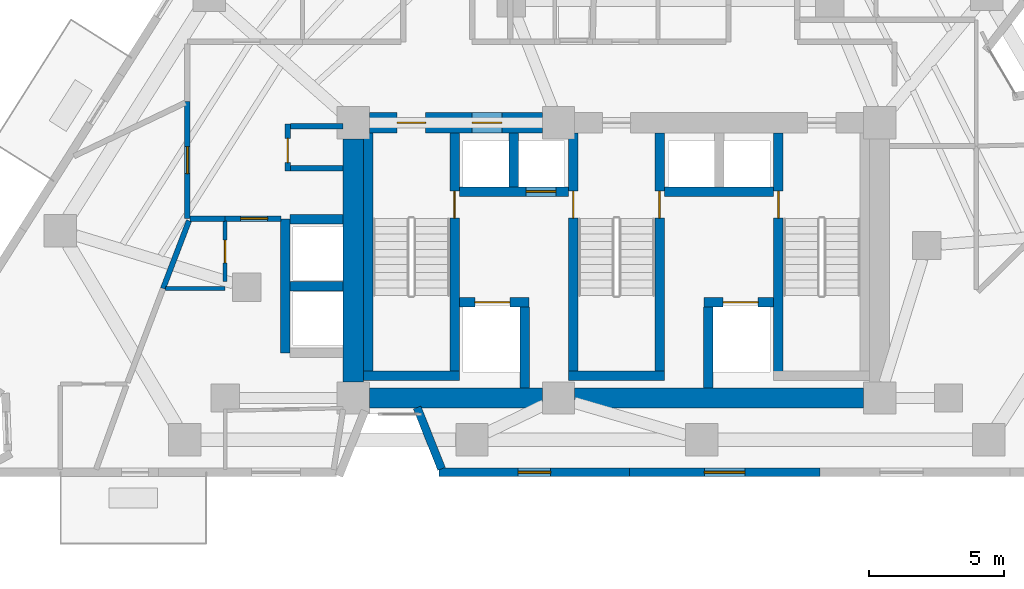
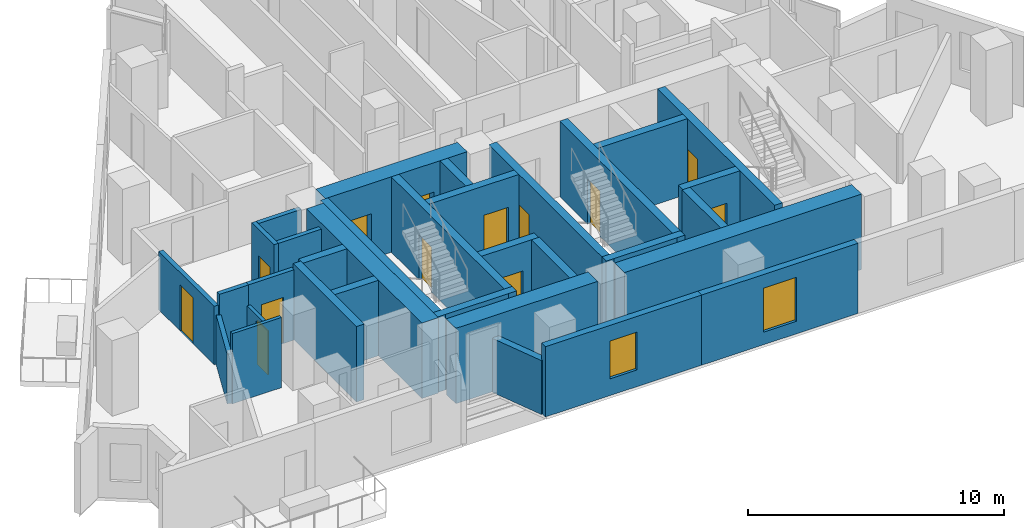
# One storey, part 7 of 12: 33 walls, 13 doors, 2 windows, 15 openings.
"""IFC4 building model written with IfcOpenShell, lengths in metres."""

from ifc_helpers import new_model, si_unit, direction, frame, frame_2d, origin, place, context, subcontext, project, spatial, rectangle, extrude, material, layer, layer_set, type_object, element, fill, save


model = new_model("IFC4")

# Units and contexts
model_context = context("Model", 3, precision=1e-05, world=origin(), true_north=direction((0.0, 1.0)))
body_context = subcontext(model_context, "Body", "Model", "MODEL_VIEW")
ifc_project = project(units=[si_unit("LENGTHUNIT", "METRE"), si_unit("AREAUNIT", "SQUARE_METRE"), si_unit("VOLUMEUNIT", "CUBIC_METRE"), si_unit("PLANEANGLEUNIT", "RADIAN"), si_unit("MASSUNIT", "GRAM", prefix="KILO")], contexts=[model_context])

# Site, building, storey
site_placement = place(None, origin())
site = spatial("IfcSite", under=ifc_project, at=site_placement, CompositionType="ELEMENT")
building_placement = place(site_placement, origin())
building = spatial("IfcBuilding", under=site, at=building_placement, Name="Almagre Mirador Tower", CompositionType="ELEMENT")
storey_placement = place(building_placement, frame((0.0, 0.0, 121.199951171875)))
storey = spatial("IfcBuildingStorey", under=building, at=storey_placement, Name="L30", CompositionType="ELEMENT", Elevation=121.199951171875)

# Wall, opening, window
ifc_material_1 = material(Name="Precast concrete C50/60", Category="concrete")
ifc_layer_1 = layer(ifc_material_1, 0.300048828125)
ifc_layer_set_1 = layer_set([ifc_layer_1], Name="Precast concrete C50/60")
wall_type_1 = type_object("IfcWallType", Name="WAL-EXT-300", PredefinedType="SOLIDWALL", material=ifc_layer_set_1)
wall_1_placement = place(storey_placement, frame((44.833984375, 1.800048828125, 0.0), z_axis=(0.0, 0.0, 1.0), x_axis=(-1.0, 0.0, 0.0)))
wall_1 = element("IfcWall", 1, at=wall_1_placement, inside=storey, type_object=wall_type_1, Name="L30 expressed almagre precast frame wall 22", PredefinedType="SOLIDWALL", context=body_context, shape_type="SweptSolid", body=[
    extrude(rectangle(XDim=7.052978515625, YDim=0.300048828125, at=frame_2d((3.5263671875, 0.0))), origin(), (0.0, 0.0, 1.0), 3.35009765625),
])
opening_1_placement = place(wall_1_placement, frame((2.77490234375, 0.0, 0.60009765625)))
opening_1 = element("IfcOpeningElement", 2, at=opening_1_placement, cuts=wall_1, Name="Opening WN-03", PredefinedType="OPENING", context=body_context, shape_type="SweptSolid", body=[
    extrude(rectangle(XDim=1.5, YDim=2.10009765625, at=frame_2d((0.75, 1.050048828125))), frame((0.0, 0.159902, 0.0), z_axis=(0.0, -1.0, 0.0), x_axis=(1.0, 0.0, 0.0)), (0.0, 0.0, 1.0), 0.320049),
])
ifc_material_2 = material(Name="Dark solar-control laminated hurricane glass", Category="glass")
window_type_1 = type_object("IfcWindowType", Name="WIN-1500X2100", PartitioningType="DOUBLE_PANEL_VERTICAL", PredefinedType="WINDOW", material=ifc_material_2)
window_1_placement = place(opening_1_placement, origin())
window_1 = element("IfcWindow", 3, at=window_1_placement, inside=storey, type_object=window_type_1, Name="L30 recessed hurricane window L30-RST-C", OverallHeight=2.10009765625, OverallWidth=1.5, PartitioningType="SINGLE_PANEL", PredefinedType="WINDOW", context=body_context, shape_type="SweptSolid", body=[
    extrude(rectangle(XDim=1.5, YDim=2.10009765625, at=frame_2d((0.75, 1.050048828125))), frame((0.0, 0.030029296875, 0.0), z_axis=(0.0, -1.0, 0.0), x_axis=(1.0, 0.0, 0.0)), (0.0, 0.0, 1.0), 0.06005859375),
])
fill(opening_1, window_1)

wall_2_placement = place(storey_placement, frame((37.781005859375, 1.800048828125, 0.0), z_axis=(0.0, 0.0, 1.0), x_axis=(-1.0, 0.0, 0.0)))
wall_2 = element("IfcWall", 4, at=wall_2_placement, inside=storey, type_object=wall_type_1, Name="L30 expressed almagre precast frame wall 23", PredefinedType="SOLIDWALL", context=body_context, shape_type="SweptSolid", body=[
    extrude(rectangle(XDim=7.052978515625, YDim=0.300048828125, at=frame_2d((3.5263671875, 0.0))), origin(), (0.0, 0.0, 1.0), 3.35009765625),
])
opening_2_placement = place(wall_2_placement, frame((2.925048828125, 0.0, 0.800048828125)))
opening_2 = element("IfcOpeningElement", 5, at=opening_2_placement, cuts=wall_2, Name="Opening WN-04", PredefinedType="OPENING", context=body_context, shape_type="SweptSolid", body=[
    extrude(rectangle(XDim=1.199951171875, YDim=1.800048828125, at=frame_2d((0.60009765625, 0.89990234375))), frame((0.0, 0.159902, 0.0), z_axis=(0.0, -1.0, 0.0), x_axis=(1.0, 0.0, 0.0)), (0.0, 0.0, 1.0), 0.320049),
])
ifc_material_3 = material(Name="Dark solar-control laminated hurricane glass", Category="glass")
window_type_2 = type_object("IfcWindowType", Name="WIN-1200X1800", PartitioningType="SINGLE_PANEL", PredefinedType="WINDOW", material=ifc_material_3)
window_2_placement = place(opening_2_placement, origin())
window_2 = element("IfcWindow", 6, at=window_2_placement, inside=storey, type_object=window_type_2, Name="L30 recessed hurricane window L30-RST-C", OverallHeight=1.800048828125, OverallWidth=1.199951171875, PartitioningType="SINGLE_PANEL", PredefinedType="WINDOW", context=body_context, shape_type="SweptSolid", body=[
    extrude(rectangle(XDim=1.199951171875, YDim=1.800048828125, at=frame_2d((0.60009765625, 0.89990234375))), frame((0.0, 0.030029296875, 0.0), z_axis=(0.0, -1.0, 0.0), x_axis=(1.0, 0.0, 0.0)), (0.0, 0.0, 1.0), 0.06005859375),
])
fill(opening_2, window_2)

# Wall
wall_3_placement = place(storey_placement, frame((30.818115234375, 1.92529296875, 0.0), z_axis=(0.0, 0.0, 1.0), x_axis=(-0.369480334007, 0.929238549987, 0.0)))
element("IfcWall", 7, at=wall_3_placement, inside=storey, type_object=wall_type_1, Name="L30 expressed almagre precast frame wall 24", PredefinedType="SOLIDWALL", context=body_context, shape_type="SweptSolid", body=[
    extrude(rectangle(XDim=2.44677734375, YDim=0.300048828125, at=frame_2d((1.223388671875, 0.0))), origin(), (0.0, 0.0, 1.0), 2.574951171875),
])

# Wall, opening, door
ifc_material_4 = material(Name="Gypsum acoustic stud partition", Category="other")
ifc_layer_2 = layer(ifc_material_4, 0.14990234375)
ifc_layer_set_2 = layer_set([ifc_layer_2], Name="Gypsum acoustic stud partition")
wall_type_2 = type_object("IfcWallType", Name="WAL-PRT-150-STD", PredefinedType="PARTITIONING", material=ifc_layer_set_2)
wall_4_placement = place(storey_placement, frame((22.800048828125, 11.114990234375, 0.0), z_axis=(0.0, 0.0, 1.0), x_axis=(0.0, -1.0, 0.0)))
wall_4 = element("IfcWall", 8, at=wall_4_placement, inside=storey, type_object=wall_type_2, Name="L30 interior partition 033", PredefinedType="PARTITIONING", context=body_context, shape_type="SweptSolid", body=[
    extrude(rectangle(XDim=2.244873046875, YDim=0.14990234375, at=frame_2d((1.12255859375, 0.0))), origin(), (0.0, 0.0, 1.0), 2.3720703125),
])
opening_3_placement = place(wall_4_placement, frame((0.70947265625, 0.0, 0.0)))
opening_3 = element("IfcOpeningElement", 9, at=opening_3_placement, cuts=wall_4, Name="Opening UD-04", PredefinedType="OPENING", context=body_context, shape_type="SweptSolid", body=[
    extrude(rectangle(XDim=0.85009765625, YDim=2.10009765625, at=frame_2d((0.425048828125, 1.050048828125))), frame((0.0, 0.084951, 0.0), z_axis=(0.0, -1.0, 0.0), x_axis=(1.0, 0.0, 0.0)), (0.0, 0.0, 1.0), 0.169902),
])
ifc_material_5 = material(Name="Moisture-resistant oak timber", Category="wood")
door_type_1 = type_object("IfcDoorType", Name="DOR-UNR-850X2100", OperationType="NOTDEFINED", PredefinedType="DOOR", material=ifc_material_5)
door_1_placement = place(opening_3_placement, origin())
door_1 = element("IfcDoor", 10, at=door_1_placement, inside=storey, type_object=door_type_1, Name="DR-0994 L30 interior door L30-UB-LV to L30-UB-HB", OperationType="SINGLE_SWING_LEFT", OverallHeight=2.10009765625, OverallWidth=0.85009765625, PredefinedType="DOOR", context=body_context, shape_type="SweptSolid", body=[
    extrude(rectangle(XDim=0.85009765625, YDim=2.10009765625, at=frame_2d((0.425048828125, 1.050048828125))), frame((0.0, 0.02490234375, 0.0), z_axis=(0.0, -1.0, 0.0), x_axis=(1.0, 0.0, 0.0)), (0.0, 0.0, 1.0), 0.050048828125),
])
fill(opening_3, door_1)

# Wall
wall_5_placement = place(storey_placement, frame((20.5849609375, 8.610107421875, 0.0), z_axis=(0.0, 0.0, 1.0), x_axis=(1.0, 0.0, 0.0)))
element("IfcWall", 11, at=wall_5_placement, inside=storey, type_object=wall_type_2, Name="L30 interior partition 036", PredefinedType="PARTITIONING", context=body_context, shape_type="SweptSolid", body=[
    extrude(rectangle(XDim=2.215087890625, YDim=0.14990234375, at=frame_2d((1.107421875, 0.0))), origin(), (0.0, 0.0, 1.0), 3.35009765625),
])

# Wall, opening, door
ifc_material_6 = material(Name="Gypsum acoustic stud partition", Category="other")
ifc_layer_3 = layer(ifc_material_6, 0.199951171875)
ifc_layer_set_3 = layer_set([ifc_layer_3], Name="Gypsum acoustic stud partition")
wall_type_3 = type_object("IfcWallType", Name="WAL-PRT-200-EI60", PredefinedType="PARTITIONING", material=ifc_layer_set_3)
wall_6_placement = place(storey_placement, frame((25.1201171875, 12.969970703125, 0.0), z_axis=(0.0, 0.0, 1.0), x_axis=(0.0, 1.0, 0.0)))
wall_6 = element("IfcWall", 12, at=wall_6_placement, inside=storey, type_object=wall_type_3, Name="L30 core ancillary west wall", PredefinedType="PARTITIONING", context=body_context, shape_type="SweptSolid", body=[
    extrude(rectangle(XDim=1.739990234375, YDim=0.199951171875, at=frame_2d((0.8701171875, 0.0))), origin(), (0.0, 0.0, 1.0), 3.35009765625),
])
opening_4_placement = place(wall_6_placement, frame((0.304931640625, 0.0, 0.0)))
opening_4 = element("IfcOpeningElement", 13, at=opening_4_placement, cuts=wall_6, Name="Opening ID-03", PredefinedType="OPENING", context=body_context, shape_type="SweptSolid", body=[
    extrude(rectangle(XDim=0.89990234375, YDim=2.10009765625, at=frame_2d((0.449951171875, 1.050048828125))), frame((0.0, 0.110098, 0.0), z_axis=(0.0, -1.0, 0.0), x_axis=(1.0, 0.0, 0.0)), (0.0, 0.0, 1.0), 0.219951),
])
ifc_material_7 = material(Name="Fire-rated hollow steel", Category="steel")
door_type_2 = type_object("IfcDoorType", Name="DOR-FD60-900X2100", OperationType="NOTDEFINED", PredefinedType="DOOR", material=ifc_material_7)
door_2_placement = place(opening_4_placement, origin())
door_2 = element("IfcDoor", 14, at=door_2_placement, inside=storey, type_object=door_type_2, Name="DR-0983 L30 core ancillary corridor door", OperationType="SINGLE_SWING_RIGHT", OverallHeight=2.10009765625, OverallWidth=0.89990234375, PredefinedType="DOOR", context=body_context, shape_type="SweptSolid", body=[
    extrude(rectangle(XDim=0.89990234375, YDim=2.10009765625, at=frame_2d((0.449951171875, 1.050048828125))), frame((0.0, 0.02490234375, 0.0), z_axis=(0.0, -1.0, 0.0), x_axis=(1.0, 0.0, 0.0)), (0.0, 0.0, 1.0), 0.050048828125),
])
fill(opening_4, door_2)

# Walls
for number, where, z_axis, x_axis, name in (
    (15, (25.22509765625, 14.6201171875, 0.0), (0.0, 0.0, 1.0), (1.0, 0.0, 0.0), "L30 core ancillary north wall"),
    (16, (25.22509765625, 13.06005859375, 0.0), (0.0, 0.0, 1.0), (1.0, 0.0, 0.0), "L30 core ancillary south wall"),
):
    element("IfcWall", number, at=place(storey_placement, frame(where, z_axis=z_axis, x_axis=x_axis)), inside=storey, type_object=wall_type_3, Name=name, PredefinedType="PARTITIONING", context=body_context, shape_type="SweptSolid", body=[
        extrude(rectangle(XDim=1.934814453125, YDim=0.199951171875, at=frame_2d((0.96728515625, 0.0))), origin(), (0.0, 0.0, 1.0), 3.35009765625),
    ])

# Wall, opening, door
wall_7_placement = place(storey_placement, frame((21.39990234375, 15.530029296875, 0.0), z_axis=(0.0, 0.0, 1.0), x_axis=(0.0, -1.0, 0.0)))
wall_7 = element("IfcWall", 17, at=wall_7_placement, inside=storey, type_object=wall_type_3, Name="L30 interior partition 001", PredefinedType="PARTITIONING", context=body_context, shape_type="SweptSolid", body=[
    extrude(rectangle(XDim=4.330078125, YDim=0.199951171875, at=frame_2d((2.1650390625, 0.0))), origin(), (0.0, 0.0, 1.0), 2.787109375),
])
opening_5_placement = place(wall_7_placement, frame((1.6650390625, 0.0, 0.0)))
opening_5 = element("IfcOpeningElement", 18, at=opening_5_placement, cuts=wall_7, Name="Opening ID-01", PredefinedType="OPENING", context=body_context, shape_type="SweptSolid", body=[
    extrude(rectangle(XDim=1.0, YDim=2.199951171875, at=frame_2d((0.5, 1.10009765625))), frame((0.0, 0.110098, 0.0), z_axis=(0.0, -1.0, 0.0), x_axis=(1.0, 0.0, 0.0)), (0.0, 0.0, 1.0), 0.219951),
])
ifc_material_8 = material(Name="Fire-rated walnut timber", Category="wood")
door_type_3 = type_object("IfcDoorType", Name="DOR-FD60-1000X2200", OperationType="NOTDEFINED", PredefinedType="DOOR", material=ifc_material_8)
door_3_placement = place(opening_5_placement, origin())
door_3 = element("IfcDoor", 19, at=door_3_placement, inside=storey, type_object=door_type_3, Name="DR-0990 L30 interior door L30-RCOR to L30-UA-ST", OperationType="SINGLE_SWING_RIGHT", OverallHeight=2.199951171875, OverallWidth=1.0, PredefinedType="DOOR", context=body_context, shape_type="SweptSolid", body=[
    extrude(rectangle(XDim=1.0, YDim=2.199951171875, at=frame_2d((0.5, 1.10009765625))), frame((0.0, 0.02490234375, 0.0), z_axis=(0.0, -1.0, 0.0), x_axis=(1.0, 0.0, 0.0)), (0.0, 0.0, 1.0), 0.050048828125),
])
fill(opening_5, door_3)

wall_8_placement = place(storey_placement, frame((22.800048828125, 11.199951171875, 0.0), z_axis=(0.0, 0.0, 1.0), x_axis=(1.0, 0.0, 0.0)))
wall_8 = element("IfcWall", 20, at=wall_8_placement, inside=storey, type_object=wall_type_3, Name="L30 interior partition 002", PredefinedType="PARTITIONING", context=body_context, shape_type="SweptSolid", body=[
    extrude(rectangle(XDim=2.069091796875, YDim=0.199951171875, at=frame_2d((1.03466796875, 0.0))), origin(), (0.0, 0.0, 1.0), 3.35009765625),
])
opening_6_placement = place(wall_8_placement, frame((0.574951171875, 0.0, 0.0)))
opening_6 = element("IfcOpeningElement", 21, at=opening_6_placement, cuts=wall_8, Name="Opening ID-01", PredefinedType="OPENING", context=body_context, shape_type="SweptSolid", body=[
    extrude(rectangle(XDim=1.0, YDim=2.199951171875, at=frame_2d((0.5, 1.10009765625))), frame((0.0, 0.110098, 0.0), z_axis=(0.0, -1.0, 0.0), x_axis=(1.0, 0.0, 0.0)), (0.0, 0.0, 1.0), 0.219951),
])
door_4_placement = place(opening_6_placement, origin())
door_4 = element("IfcDoor", 22, at=door_4_placement, inside=storey, type_object=door_type_3, Name="DR-0992 L30 interior door L30-RCOR to L30-UB-LV", OperationType="SINGLE_SWING_LEFT", OverallHeight=2.199951171875, OverallWidth=1.0, PredefinedType="DOOR", context=body_context, shape_type="SweptSolid", body=[
    extrude(rectangle(XDim=1.0, YDim=2.199951171875, at=frame_2d((0.5, 1.10009765625))), frame((0.0, 0.02490234375, 0.0), z_axis=(0.0, -1.0, 0.0), x_axis=(1.0, 0.0, 0.0)), (0.0, 0.0, 1.0), 0.050048828125),
])
fill(opening_6, door_4)

# Walls
wall_9_placement = place(storey_placement, frame((21.489990234375, 11.199951171875, 0.0), z_axis=(0.0, 0.0, 1.0), x_axis=(1.0, 0.0, 0.0)))
element("IfcWall", 23, at=wall_9_placement, inside=storey, type_object=wall_type_3, Name="L30 interior partition 003", PredefinedType="PARTITIONING", context=body_context, shape_type="SweptSolid", body=[
    extrude(rectangle(XDim=1.31005859375, YDim=0.199951171875, at=frame_2d((0.655029296875, 0.0))), origin(), (0.0, 0.0, 1.0), 3.35009765625),
])
wall_10_placement = place(storey_placement, frame((20.5, 8.610107421875, 0.0), z_axis=(0.0, 0.0, 1.0), x_axis=(0.357079192951, 0.934074113741, 0.0)))
element("IfcWall", 24, at=wall_10_placement, inside=storey, type_object=wall_type_3, Name="L30 interior partition 028", PredefinedType="PARTITIONING", context=body_context, shape_type="SweptSolid", body=[
    extrude(rectangle(XDim=2.687744140625, YDim=0.199951171875, at=frame_2d((1.34375, 0.0))), origin(), (0.0, 0.0, 1.0), 2.3720703125),
])
ifc_material_9 = material(Name="Concrete C60/75", Category="concrete")
ifc_layer_4 = layer(ifc_material_9, 0.35009765625)
ifc_layer_set_4 = layer_set([ifc_layer_4], Name="Concrete C60/75")
wall_type_4 = type_object("IfcWallType", Name="WAL-SHF-350", PredefinedType="SOLIDWALL", material=ifc_layer_set_4)
wall_11_placement = place(storey_placement, frame((28.10009765625, 5.199951171875, 0.0), z_axis=(0.0, 0.0, 1.0), x_axis=(0.0, 1.0, 0.0)))
element("IfcWall", 25, at=wall_11_placement, inside=storey, type_object=wall_type_4, Name="L30 shaft wall ST1-W", PredefinedType="SOLIDWALL", context=body_context, shape_type="SweptSolid", body=[
    extrude(rectangle(XDim=9.175048828125, YDim=0.35009765625, at=frame_2d((4.58740234375, 0.0))), origin(), (0.0, 0.0, 1.0), 3.60009765625),
])

# Wall, opening, door
wall_12_placement = place(storey_placement, frame((31.300048828125, 5.199951171875, 0.0), z_axis=(0.0, 0.0, 1.0), x_axis=(0.0, 1.0, 0.0)))
wall_12 = element("IfcWall", 26, at=wall_12_placement, inside=storey, type_object=wall_type_4, Name="L30 shaft wall ST1-E", PredefinedType="SOLIDWALL", context=body_context, shape_type="SweptSolid", body=[
    extrude(rectangle(XDim=9.175048828125, YDim=0.35009765625, at=frame_2d((4.58740234375, 0.0))), origin(), (0.0, 0.0, 1.0), 3.60009765625),
])
opening_7_placement = place(wall_12_placement, frame((6.02001953125, 0.0, 0.0)))
opening_7 = element("IfcOpeningElement", 27, at=opening_7_placement, cuts=wall_12, Name="Opening FD-01", PredefinedType="OPENING", context=body_context, shape_type="SweptSolid", body=[
    extrude(rectangle(XDim=1.0, YDim=2.14990234375, at=frame_2d((0.5, 1.074951171875))), frame((0.0, 0.185049, 0.0), z_axis=(0.0, -1.0, 0.0), x_axis=(1.0, 0.0, 0.0)), (0.0, 0.0, 1.0), 0.370098),
])
ifc_material_10 = material(Name="Fire-rated hollow steel", Category="steel")
door_type_4 = type_object("IfcDoorType", Name="DOR-FFL-1000X2150", OperationType="NOTDEFINED", PredefinedType="DOOR", material=ifc_material_10)
door_5_placement = place(opening_7_placement, origin())
door_5 = element("IfcDoor", 28, at=door_5_placement, inside=storey, type_object=door_type_4, Name="DR-0984 L30 FFL1-ST1 smokeproof door", OperationType="SINGLE_SWING_RIGHT", OverallHeight=2.14990234375, OverallWidth=1.0, PredefinedType="DOOR", context=body_context, shape_type="SweptSolid", body=[
    extrude(rectangle(XDim=1.0, YDim=2.14990234375, at=frame_2d((0.5, 1.074951171875))), frame((0.0, 0.02490234375, 0.0), z_axis=(0.0, -1.0, 0.0), x_axis=(1.0, 0.0, 0.0)), (0.0, 0.0, 1.0), 0.050048828125),
])
fill(opening_7, door_5)

# Wall
wall_13_placement = place(storey_placement, frame((27.925048828125, 5.375, 0.0), z_axis=(0.0, 0.0, 1.0), x_axis=(1.0, 0.0, 0.0)))
element("IfcWall", 29, at=wall_13_placement, inside=storey, type_object=wall_type_4, Name="L30 shaft wall ST1-S", PredefinedType="SOLIDWALL", context=body_context, shape_type="SweptSolid", body=[
    extrude(rectangle(XDim=3.550048828125, YDim=0.35009765625, at=frame_2d((1.77490234375, 0.0))), origin(), (0.0, 0.0, 1.0), 3.60009765625),
])

# Wall, opening, door
wall_14_placement = place(storey_placement, frame((35.699951171875, 5.199951171875, 0.0), z_axis=(0.0, 0.0, 1.0), x_axis=(0.0, 1.0, 0.0)))
wall_14 = element("IfcWall", 30, at=wall_14_placement, inside=storey, type_object=wall_type_4, Name="L30 shaft wall ST2-W", PredefinedType="SOLIDWALL", context=body_context, shape_type="SweptSolid", body=[
    extrude(rectangle(XDim=9.175048828125, YDim=0.35009765625, at=frame_2d((4.58740234375, 0.0))), origin(), (0.0, 0.0, 1.0), 3.60009765625),
])
opening_8_placement = place(wall_14_placement, frame((6.02001953125, 0.0, 0.0)))
opening_8 = element("IfcOpeningElement", 31, at=opening_8_placement, cuts=wall_14, Name="Opening FD-01", PredefinedType="OPENING", context=body_context, shape_type="SweptSolid", body=[
    extrude(rectangle(XDim=1.0, YDim=2.14990234375, at=frame_2d((0.5, 1.074951171875))), frame((0.0, 0.185049, 0.0), z_axis=(0.0, -1.0, 0.0), x_axis=(1.0, 0.0, 0.0)), (0.0, 0.0, 1.0), 0.370098),
])
door_6_placement = place(opening_8_placement, origin())
door_6 = element("IfcDoor", 32, at=door_6_placement, inside=storey, type_object=door_type_4, Name="DR-0985 L30 FFL1-ST2 smokeproof door", OperationType="SINGLE_SWING_LEFT", OverallHeight=2.14990234375, OverallWidth=1.0, PredefinedType="DOOR", context=body_context, shape_type="SweptSolid", body=[
    extrude(rectangle(XDim=1.0, YDim=2.14990234375, at=frame_2d((0.5, 1.074951171875))), frame((0.0, 0.02490234375, 0.0), z_axis=(0.0, -1.0, 0.0), x_axis=(1.0, 0.0, 0.0)), (0.0, 0.0, 1.0), 0.050048828125),
])
fill(opening_8, door_6)

wall_15_placement = place(storey_placement, frame((38.89990234375, 5.199951171875, 0.0), z_axis=(0.0, 0.0, 1.0), x_axis=(0.0, 1.0, 0.0)))
wall_15 = element("IfcWall", 33, at=wall_15_placement, inside=storey, type_object=wall_type_4, Name="L30 shaft wall ST2-E", PredefinedType="SOLIDWALL", context=body_context, shape_type="SweptSolid", body=[
    extrude(rectangle(XDim=9.175048828125, YDim=0.35009765625, at=frame_2d((4.58740234375, 0.0))), origin(), (0.0, 0.0, 1.0), 3.60009765625),
])
opening_9_placement = place(wall_15_placement, frame((6.02001953125, 0.0, 0.0)))
opening_9 = element("IfcOpeningElement", 34, at=opening_9_placement, cuts=wall_15, Name="Opening FD-01", PredefinedType="OPENING", context=body_context, shape_type="SweptSolid", body=[
    extrude(rectangle(XDim=1.0, YDim=2.14990234375, at=frame_2d((0.5, 1.074951171875))), frame((0.0, 0.185049, 0.0), z_axis=(0.0, -1.0, 0.0), x_axis=(1.0, 0.0, 0.0)), (0.0, 0.0, 1.0), 0.370098),
])
door_7_placement = place(opening_9_placement, origin())
door_7 = element("IfcDoor", 35, at=door_7_placement, inside=storey, type_object=door_type_4, Name="DR-0986 L30 FFL2-ST2 smokeproof door", OperationType="SINGLE_SWING_RIGHT", OverallHeight=2.14990234375, OverallWidth=1.0, PredefinedType="DOOR", context=body_context, shape_type="SweptSolid", body=[
    extrude(rectangle(XDim=1.0, YDim=2.14990234375, at=frame_2d((0.5, 1.074951171875))), frame((0.0, 0.02490234375, 0.0), z_axis=(0.0, -1.0, 0.0), x_axis=(1.0, 0.0, 0.0)), (0.0, 0.0, 1.0), 0.050048828125),
])
fill(opening_9, door_7)

# Wall
wall_16_placement = place(storey_placement, frame((35.52490234375, 5.375, 0.0), z_axis=(0.0, 0.0, 1.0), x_axis=(1.0, 0.0, 0.0)))
element("IfcWall", 36, at=wall_16_placement, inside=storey, type_object=wall_type_4, Name="L30 shaft wall ST2-S", PredefinedType="SOLIDWALL", context=body_context, shape_type="SweptSolid", body=[
    extrude(rectangle(XDim=3.550048828125, YDim=0.35009765625, at=frame_2d((1.77490234375, 0.0))), origin(), (0.0, 0.0, 1.0), 3.60009765625),
])

# Wall, opening, door
wall_17_placement = place(storey_placement, frame((43.300048828125, 5.199951171875, 0.0), z_axis=(0.0, 0.0, 1.0), x_axis=(0.0, 1.0, 0.0)))
wall_17 = element("IfcWall", 37, at=wall_17_placement, inside=storey, type_object=wall_type_4, Name="L30 shaft wall ST3-W", PredefinedType="SOLIDWALL", context=body_context, shape_type="SweptSolid", body=[
    extrude(rectangle(XDim=9.175048828125, YDim=0.35009765625, at=frame_2d((4.58740234375, 0.0))), origin(), (0.0, 0.0, 1.0), 3.60009765625),
])
opening_10_placement = place(wall_17_placement, frame((6.02001953125, 0.0, 0.0)))
opening_10 = element("IfcOpeningElement", 38, at=opening_10_placement, cuts=wall_17, Name="Opening FD-01", PredefinedType="OPENING", context=body_context, shape_type="SweptSolid", body=[
    extrude(rectangle(XDim=1.0, YDim=2.14990234375, at=frame_2d((0.5, 1.074951171875))), frame((0.0, 0.185049, 0.0), z_axis=(0.0, -1.0, 0.0), x_axis=(1.0, 0.0, 0.0)), (0.0, 0.0, 1.0), 0.370098),
])
door_8_placement = place(opening_10_placement, origin())
door_8 = element("IfcDoor", 39, at=door_8_placement, inside=storey, type_object=door_type_4, Name="DR-0987 L30 FFL2-ST3 smokeproof door", OperationType="SINGLE_SWING_LEFT", OverallHeight=2.14990234375, OverallWidth=1.0, PredefinedType="DOOR", context=body_context, shape_type="SweptSolid", body=[
    extrude(rectangle(XDim=1.0, YDim=2.14990234375, at=frame_2d((0.5, 1.074951171875))), frame((0.0, 0.02490234375, 0.0), z_axis=(0.0, -1.0, 0.0), x_axis=(1.0, 0.0, 0.0)), (0.0, 0.0, 1.0), 0.050048828125),
])
fill(opening_10, door_8)

wall_18_placement = place(storey_placement, frame((31.47509765625, 8.10009765625, 0.0), z_axis=(0.0, 0.0, 1.0), x_axis=(1.0, 0.0, 0.0)))
wall_18 = element("IfcWall", 40, at=wall_18_placement, inside=storey, type_object=wall_type_4, Name="L30 shaft wall FSAE1-N", PredefinedType="SOLIDWALL", context=body_context, shape_type="SweptSolid", body=[
    extrude(rectangle(XDim=2.574951171875, YDim=0.35009765625, at=frame_2d((1.28759765625, 0.0))), origin(), (0.0, 0.0, 1.0), 3.60009765625),
])
opening_11_placement = place(wall_18_placement, frame((0.574951171875, 0.0, 0.0)))
opening_11 = element("IfcOpeningElement", 41, at=opening_11_placement, cuts=wall_18, Name="Opening LD-03", PredefinedType="OPENING", context=body_context, shape_type="SweptSolid", body=[
    extrude(rectangle(XDim=1.300048828125, YDim=2.25, at=frame_2d((0.64990234375, 1.125))), frame((0.0, 0.185049, 0.0), z_axis=(0.0, -1.0, 0.0), x_axis=(1.0, 0.0, 0.0)), (0.0, 0.0, 1.0), 0.370098),
])
ifc_material_11 = material(Name="Hollow stainless steel", Category="steel")
door_type_5 = type_object("IfcDoorType", Name="DOR-LD-1300X2250", OperationType="DOUBLE_DOOR_SLIDING", PredefinedType="DOOR", material=ifc_material_11)
door_9_placement = place(opening_11_placement, origin())
door_9 = element("IfcDoor", 42, at=door_9_placement, inside=storey, type_object=door_type_5, Name="DR-1007 L30 FSAE-1 lift landing door", OperationType="DOUBLE_DOOR_SLIDING", OverallHeight=2.25, OverallWidth=1.300048828125, PredefinedType="DOOR", context=body_context, shape_type="SweptSolid", body=[
    extrude(rectangle(XDim=1.300048828125, YDim=2.25, at=frame_2d((0.64990234375, 1.125))), frame((0.0, 0.02490234375, 0.0), z_axis=(0.0, -1.0, 0.0), x_axis=(1.0, 0.0, 0.0)), (0.0, 0.0, 1.0), 0.050048828125),
])
fill(opening_11, door_9)

wall_19_placement = place(storey_placement, frame((40.550048828125, 8.10009765625, 0.0), z_axis=(0.0, 0.0, 1.0), x_axis=(1.0, 0.0, 0.0)))
wall_19 = element("IfcWall", 43, at=wall_19_placement, inside=storey, type_object=wall_type_4, Name="L30 shaft wall FSAE2-N", PredefinedType="SOLIDWALL", context=body_context, shape_type="SweptSolid", body=[
    extrude(rectangle(XDim=2.574951171875, YDim=0.35009765625, at=frame_2d((1.28759765625, 0.0))), origin(), (0.0, 0.0, 1.0), 3.60009765625),
])
opening_12_placement = place(wall_19_placement, frame((0.699951171875, 0.0, 0.0)))
opening_12 = element("IfcOpeningElement", 44, at=opening_12_placement, cuts=wall_19, Name="Opening LD-03", PredefinedType="OPENING", context=body_context, shape_type="SweptSolid", body=[
    extrude(rectangle(XDim=1.300048828125, YDim=2.25, at=frame_2d((0.64990234375, 1.125))), frame((0.0, 0.185049, 0.0), z_axis=(0.0, -1.0, 0.0), x_axis=(1.0, 0.0, 0.0)), (0.0, 0.0, 1.0), 0.370098),
])
door_10_placement = place(opening_12_placement, origin())
door_10 = element("IfcDoor", 45, at=door_10_placement, inside=storey, type_object=door_type_5, Name="DR-1008 L30 FSAE-2 lift landing door", OperationType="DOUBLE_DOOR_SLIDING", OverallHeight=2.25, OverallWidth=1.300048828125, PredefinedType="DOOR", context=body_context, shape_type="SweptSolid", body=[
    extrude(rectangle(XDim=1.300048828125, YDim=2.25, at=frame_2d((0.64990234375, 1.125))), frame((0.0, 0.02490234375, 0.0), z_axis=(0.0, -1.0, 0.0), x_axis=(1.0, 0.0, 0.0)), (0.0, 0.0, 1.0), 0.050048828125),
])
fill(opening_12, door_10)

# Walls
for number, where, z_axis, x_axis, name in (
    (46, (33.89990234375, 4.925048828125, 0.0), (0.0, 0.0, 1.0), (0.0, 1.0, 0.0), "L30 shaft wall FSAE1-E"),
    (47, (40.699951171875, 4.925048828125, 0.0), (0.0, 0.0, 1.0), (0.0, 1.0, 0.0), "L30 shaft wall FSAE2-W"),
):
    element("IfcWall", number, at=place(storey_placement, frame(where, z_axis=z_axis, x_axis=x_axis)), inside=storey, type_object=wall_type_4, Name=name, PredefinedType="SOLIDWALL", context=body_context, shape_type="SweptSolid", body=[
        extrude(rectangle(XDim=3.0, YDim=0.35009765625, at=frame_2d((1.5, 0.0))), origin(), (0.0, 0.0, 1.0), 3.60009765625),
    ])

# Wall, opening, door
wall_20_placement = place(storey_placement, frame((31.47509765625, 12.199951171875, 0.0), z_axis=(0.0, 0.0, 1.0), x_axis=(1.0, 0.0, 0.0)))
wall_20 = element("IfcWall", 48, at=wall_20_placement, inside=storey, type_object=wall_type_4, Name="L30 shaft wall PLM-S", PredefinedType="SOLIDWALL", context=body_context, shape_type="SweptSolid", body=[
    extrude(rectangle(XDim=4.0498046875, YDim=0.35009765625, at=frame_2d((2.02490234375, 0.0))), origin(), (0.0, 0.0, 1.0), 3.60009765625),
])
opening_13_placement = place(wall_20_placement, frame((2.47509765625, 0.0, 0.0)))
opening_13 = element("IfcOpeningElement", 49, at=opening_13_placement, cuts=wall_20, Name="Opening LD-01", PredefinedType="OPENING", context=body_context, shape_type="SweptSolid", body=[
    extrude(rectangle(XDim=1.10009765625, YDim=2.199951171875, at=frame_2d((0.550048828125, 1.10009765625))), frame((0.0, 0.185049, 0.0), z_axis=(0.0, -1.0, 0.0), x_axis=(1.0, 0.0, 0.0)), (0.0, 0.0, 1.0), 0.370098),
])
ifc_material_12 = material(Name="Hollow stainless steel", Category="steel")
door_type_6 = type_object("IfcDoorType", Name="DOR-LD-1100X2200", OperationType="DOUBLE_DOOR_SLIDING", PredefinedType="DOOR", material=ifc_material_12)
door_11_placement = place(opening_13_placement, origin())
door_11 = element("IfcDoor", 50, at=door_11_placement, inside=storey, type_object=door_type_6, Name="DR-1010 L30 PL-M2 lift landing door", OperationType="DOUBLE_DOOR_SLIDING", OverallHeight=2.199951171875, OverallWidth=1.10009765625, PredefinedType="DOOR", context=body_context, shape_type="SweptSolid", body=[
    extrude(rectangle(XDim=1.10009765625, YDim=2.199951171875, at=frame_2d((0.550048828125, 1.10009765625))), frame((0.0, 0.02490234375, 0.0), z_axis=(0.0, -1.0, 0.0), x_axis=(1.0, 0.0, 0.0)), (0.0, 0.0, 1.0), 0.050048828125),
])
fill(opening_13, door_11)

# Walls
wall_21_placement = place(storey_placement, frame((33.5, 12.375, 0.0), z_axis=(0.0, 0.0, 1.0), x_axis=(0.0, 1.0, 0.0)))
element("IfcWall", 51, at=wall_21_placement, inside=storey, type_object=wall_type_4, Name="L30 shaft wall PLM-M", PredefinedType="SOLIDWALL", context=body_context, shape_type="SweptSolid", body=[
    extrude(rectangle(XDim=2.0, YDim=0.35009765625, at=frame_2d((1.0, 0.0))), origin(), (0.0, 0.0, 1.0), 3.60009765625),
])
wall_22_placement = place(storey_placement, frame((39.074951171875, 12.199951171875, 0.0), z_axis=(0.0, 0.0, 1.0), x_axis=(1.0, 0.0, 0.0)))
element("IfcWall", 52, at=wall_22_placement, inside=storey, type_object=wall_type_4, Name="L30 shaft wall PLH-S", PredefinedType="SOLIDWALL", context=body_context, shape_type="SweptSolid", body=[
    extrude(rectangle(XDim=4.050048828125, YDim=0.35009765625, at=frame_2d((2.02490234375, 0.0))), origin(), (0.0, 0.0, 1.0), 3.60009765625),
])
wall_23_placement = place(storey_placement, frame((25.02490234375, 6.22509765625, 0.0), z_axis=(0.0, 0.0, 1.0), x_axis=(0.0, 1.0, 0.0)))
element("IfcWall", 53, at=wall_23_placement, inside=storey, type_object=wall_type_4, Name="L30 shaft wall OL-W", PredefinedType="SOLIDWALL", context=body_context, shape_type="SweptSolid", body=[
    extrude(rectangle(XDim=4.949951171875, YDim=0.35009765625, at=frame_2d((2.47509765625, 0.0))), origin(), (0.0, 0.0, 1.0), 3.60009765625),
])
for number, where, z_axis, x_axis, name in (
    (54, (25.199951171875, 8.699951171875, 0.0), (0.0, 0.0, 1.0), (1.0, 0.0, 0.0), "L30 shaft wall OL-M"),
    (55, (25.199951171875, 11.175048828125, 0.0), (0.0, 0.0, 1.0), (1.0, 0.0, 0.0), "L30 shaft wall OL-N"),
):
    element("IfcWall", number, at=place(storey_placement, frame(where, z_axis=z_axis, x_axis=x_axis)), inside=storey, type_object=wall_type_4, Name=name, PredefinedType="SOLIDWALL", context=body_context, shape_type="SweptSolid", body=[
        extrude(rectangle(XDim=1.97509765625, YDim=0.35009765625, at=frame_2d((0.987548828125, 0.0))), origin(), (0.0, 0.0, 1.0), 3.60009765625),
    ])
ifc_material_13 = material(Name="Concrete C60/75", Category="concrete")
ifc_layer_5 = layer(ifc_material_13, 0.75)
ifc_layer_set_5 = layer_set([ifc_layer_5], Name="Concrete C60/75")
wall_type_5 = type_object("IfcWallType", Name="WAL-SHR-750", PredefinedType="SHEAR", material=ifc_layer_set_5)
wall_24_placement = place(storey_placement, frame((28.14990234375, 4.550048828125, 0.0), z_axis=(0.0, 0.0, 1.0), x_axis=(1.0, 0.0, 0.0)))
element("IfcWall", 56, at=wall_24_placement, inside=storey, type_object=wall_type_5, Name="L30 core shear wall S1", PredefinedType="SHEAR", context=body_context, shape_type="SweptSolid", body=[
    extrude(rectangle(XDim=6.400146484375, YDim=0.75, at=frame_2d((3.2001953125, 0.0))), origin(), (0.0, 0.0, 1.0), 3.60009765625),
])
wall_25_placement = place(storey_placement, frame((35.75, 4.550048828125, 0.0), z_axis=(0.0, 0.0, 1.0), x_axis=(1.0, 0.0, 0.0)))
element("IfcWall", 57, at=wall_25_placement, inside=storey, type_object=wall_type_5, Name="L30 core shear wall S2", PredefinedType="SHEAR", context=body_context, shape_type="SweptSolid", body=[
    extrude(rectangle(XDim=10.699951171875, YDim=0.75, at=frame_2d((5.35009765625, 0.0))), origin(), (0.0, 0.0, 1.0), 3.60009765625),
])

# Wall, openings, doors
wall_26_placement = place(storey_placement, frame((28.14990234375, 14.75, 0.0), z_axis=(0.0, 0.0, 1.0), x_axis=(1.0, 0.0, 0.0)))
wall_26 = element("IfcWall", 58, at=wall_26_placement, inside=storey, type_object=wall_type_5, Name="L30 core shear wall N1", PredefinedType="SHEAR", context=body_context, shape_type="SweptSolid", body=[
    extrude(rectangle(XDim=6.400146484375, YDim=0.75, at=frame_2d((3.2001953125, 0.0))), origin(), (0.0, 0.0, 1.0), 3.60009765625),
])
opening_14_placement = place(wall_26_placement, frame((1.02490234375, 0.0, 0.0)))
opening_14 = element("IfcOpeningElement", 59, at=opening_14_placement, cuts=wall_26, Name="Opening SD-01", PredefinedType="OPENING", context=body_context, shape_type="SweptSolid", body=[
    extrude(rectangle(XDim=1.050048828125, YDim=2.14990234375, at=frame_2d((0.52490234375, 1.074951171875))), frame((0.0, 0.385, 0.0), z_axis=(0.0, -1.0, 0.0), x_axis=(1.0, 0.0, 0.0)), (0.0, 0.0, 1.0), 0.77),
])
opening_15_placement = place(wall_26_placement, frame((3.800048828125, 0.0, 0.0)))
opening_15 = element("IfcOpeningElement", 60, at=opening_15_placement, cuts=wall_26, Name="Opening LD-01", PredefinedType="OPENING", context=body_context, shape_type="SweptSolid", body=[
    extrude(rectangle(XDim=1.10009765625, YDim=2.199951171875, at=frame_2d((0.550048828125, 1.10009765625))), frame((0.0, 0.385, 0.0), z_axis=(0.0, -1.0, 0.0), x_axis=(1.0, 0.0, 0.0)), (0.0, 0.0, 1.0), 0.77),
])
door_12_placement = place(opening_15_placement, origin())
door_12 = element("IfcDoor", 61, at=door_12_placement, inside=storey, type_object=door_type_6, Name="DR-1009 L30 PL-M1 lift landing door", OperationType="DOUBLE_DOOR_SLIDING", OverallHeight=2.199951171875, OverallWidth=1.10009765625, PredefinedType="DOOR", context=body_context, shape_type="SweptSolid", body=[
    extrude(rectangle(XDim=1.10009765625, YDim=2.199951171875, at=frame_2d((0.550048828125, 1.10009765625))), frame((0.0, 0.02490234375, 0.0), z_axis=(0.0, -1.0, 0.0), x_axis=(1.0, 0.0, 0.0)), (0.0, 0.0, 1.0), 0.050048828125),
])
fill(opening_15, door_12)
ifc_material_14 = material(Name="Fire-rated hollow steel", Category="steel")
door_type_7 = type_object("IfcDoorType", Name="DOR-ST-1050X2150", OperationType="NOTDEFINED", PredefinedType="DOOR", material=ifc_material_14)
door_13_placement = place(opening_14_placement, origin())
door_13 = element("IfcDoor", 62, at=door_13_placement, inside=storey, type_object=door_type_7, Name="DR-1011 L30 protected exit stair ST-1 door", OperationType="SINGLE_SWING_RIGHT", OverallHeight=2.14990234375, OverallWidth=1.050048828125, PredefinedType="DOOR", context=body_context, shape_type="SweptSolid", body=[
    extrude(rectangle(XDim=1.050048828125, YDim=2.14990234375, at=frame_2d((0.52490234375, 1.074951171875))), frame((0.0, 0.02490234375, 0.0), z_axis=(0.0, -1.0, 0.0), x_axis=(1.0, 0.0, 0.0)), (0.0, 0.0, 1.0), 0.050048828125),
])
fill(opening_14, door_13)

# Wall
wall_27_placement = place(storey_placement, frame((27.550048828125, 5.14990234375, 0.0), z_axis=(0.0, 0.0, 1.0), x_axis=(0.0, 1.0, 0.0)))
element("IfcWall", 63, at=wall_27_placement, inside=storey, type_object=wall_type_5, Name="L30 core shear wall W1", PredefinedType="SHEAR", context=body_context, shape_type="SweptSolid", body=[
    extrude(rectangle(XDim=9.0, YDim=0.75, at=frame_2d((4.5, 0.0))), origin(), (0.0, 0.0, 1.0), 3.60009765625),
])

save(model, "model.ifc")
